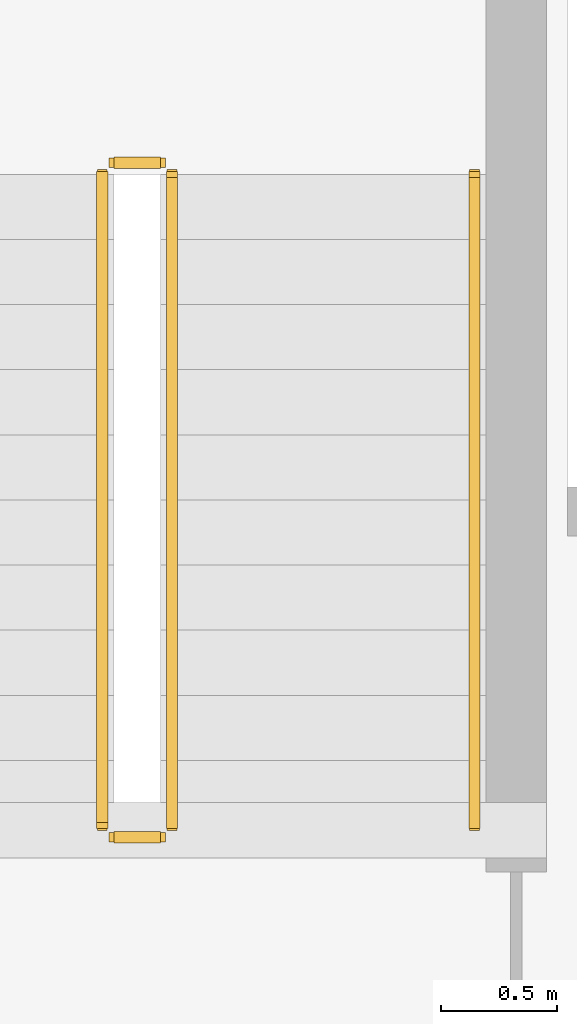
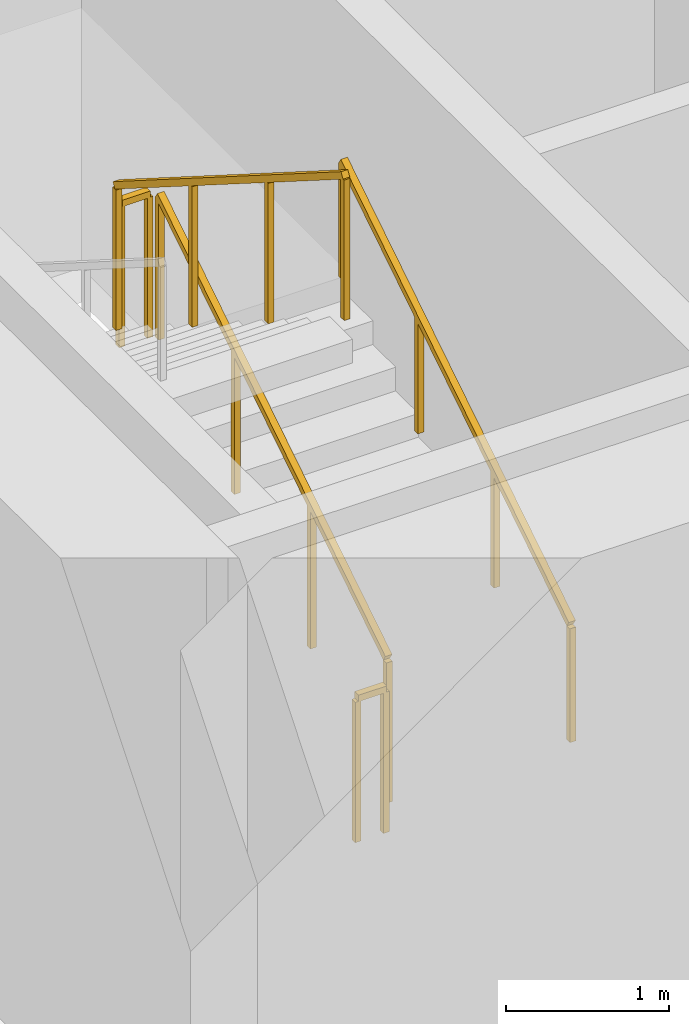
# One storey, part 24 of 26: 5 railings.
"""IFC4 building model written with IfcOpenShell, lengths in metres."""

from ifc_helpers import new_model, si_unit, direction, frame, origin, origin_2d, place, context, subcontext, project, spatial, rectangle, extrude, material, type_object, element, save


model = new_model("IFC4")

# Units and contexts
model_context = context("Model", 3, precision=1e-05, world=origin(), true_north=direction((0.0, 1.0)))
body_context = subcontext(model_context, "Body", "Model", "MODEL_VIEW")
ifc_project = project(units=[si_unit("LENGTHUNIT", "METRE"), si_unit("AREAUNIT", "SQUARE_METRE"), si_unit("VOLUMEUNIT", "CUBIC_METRE"), si_unit("PLANEANGLEUNIT", "RADIAN"), si_unit("MASSUNIT", "GRAM", prefix="KILO")], contexts=[model_context])

# Site, building, storey
site_placement = place(None, origin())
site = spatial("IfcSite", under=ifc_project, at=site_placement, CompositionType="ELEMENT")
building_placement = place(site_placement, origin())
building = spatial("IfcBuilding", under=site, at=building_placement, Name="Kiyonajd Concourse Tower", CompositionType="ELEMENT")
storey_placement = place(building_placement, frame((0.0, 0.0, 72.89990234375)))
storey = spatial("IfcBuildingStorey", under=building, at=storey_placement, Name="L19", CompositionType="ELEMENT", Elevation=72.89990234375)

# Railings
ifc_material_1 = material(Name="Steel ASTM A500 Grade C", Category="steel")
railing_type_1 = type_object("IfcRailingType", Name="RL-GRD-STR", PredefinedType="GUARDRAIL", material=ifc_material_1)
railing_1_placement = place(storey_placement, frame((35.5, 30.550048828125, 0.177490234375)))
element("IfcRailing", 1, at=railing_1_placement, inside=storey, type_object=railing_type_1, Name="L19 ST1 stair guard 1", PredefinedType="GUARDRAIL", context=body_context, shape_type="SweptSolid", body=[
    extrude(rectangle(XDim=0.048095703125, YDim=0.048095703125, at=origin_2d()), frame((0.0, 0.0, 1.076171875), z_axis=(0.0, 0.844908973607, 0.534910110503), x_axis=(-1.0, 0.0, 0.0)), (0.0, 0.0, 1.0), 3.31396484375),
    extrude(rectangle(XDim=0.0419921875, YDim=0.0419921875, at=origin_2d()), origin(), (0.0, 0.0, 1.0), 1.052001953125),
    extrude(rectangle(XDim=0.0419921875, YDim=0.0419921875, at=origin_2d()), frame((0.0, 0.933349609375, 0.5908203125)), (0.0, 0.0, 1.0), 1.052001953125),
    extrude(rectangle(XDim=0.0419921875, YDim=0.0419921875, at=origin_2d()), frame((0.0, 1.86669921875, 1.181884765625)), (0.0, 0.0, 1.0), 1.052001953125),
    extrude(rectangle(XDim=0.0419921875, YDim=0.0419921875, at=origin_2d()), frame((0.0, 2.800048828125, 1.772705078125)), (0.0, 0.0, 1.0), 1.052001953125),
])
railing_2_placement = place(storey_placement, frame((35.449951171875, 33.39990234375, 1.9501953125)))
element("IfcRailing", 2, at=railing_2_placement, inside=storey, type_object=railing_type_1, Name="L19 ST1 stair guard 2", PredefinedType="GUARDRAIL", context=body_context, shape_type="SweptSolid", body=[
    extrude(rectangle(XDim=0.048095703125, YDim=0.048095703125, at=origin_2d()), frame((0.0, 0.0, 1.076171875), z_axis=(-1.0, 0.0, 0.0), x_axis=(0.0, -1.0, 0.0)), (0.0, 0.0, 1.0), 0.199951171875),
    extrude(rectangle(XDim=0.0419921875, YDim=0.0419921875, at=origin_2d()), origin(), (0.0, 0.0, 1.0), 1.052001953125),
    extrude(rectangle(XDim=0.0419921875, YDim=0.0419921875, at=origin_2d()), frame((-0.199951171875, 0.0, 0.0)), (0.0, 0.0, 1.0), 1.052001953125),
])
railing_3_placement = place(storey_placement, frame((35.199951171875, 33.35009765625, 2.12744140625)))
element("IfcRailing", 3, at=railing_3_placement, inside=storey, type_object=railing_type_1, Name="L19 ST1 stair guard 3", PredefinedType="GUARDRAIL", context=body_context, shape_type="SweptSolid", body=[
    extrude(rectangle(XDim=0.048095703125, YDim=0.048095703125, at=origin_2d()), frame((0.0, 0.0, 1.076171875), z_axis=(0.0, -0.844908973607, 0.534910110503), x_axis=(1.0, 0.0, 0.0)), (0.0, 0.0, 1.0), 3.31396484375),
    extrude(rectangle(XDim=0.0419921875, YDim=0.0419921875, at=origin_2d()), origin(), (0.0, 0.0, 1.0), 1.052001953125),
    extrude(rectangle(XDim=0.0419921875, YDim=0.0419921875, at=origin_2d()), frame((0.0, -0.933349609375, 0.5908203125)), (0.0, 0.0, 1.0), 1.052001953125),
    extrude(rectangle(XDim=0.0419921875, YDim=0.0419921875, at=origin_2d()), frame((0.0, -1.86669921875, 1.181884765625)), (0.0, 0.0, 1.0), 1.052001953125),
    extrude(rectangle(XDim=0.0419921875, YDim=0.0419921875, at=origin_2d()), frame((0.0, -2.800048828125, 1.772705078125)), (0.0, 0.0, 1.0), 1.052001953125),
])
railing_4_placement = place(storey_placement, frame((35.449951171875, 30.5, 0.0)))
element("IfcRailing", 4, at=railing_4_placement, inside=storey, type_object=railing_type_1, Name="L19 ST1 stair guard 4", PredefinedType="GUARDRAIL", context=body_context, shape_type="SweptSolid", body=[
    extrude(rectangle(XDim=0.048095703125, YDim=0.048095703125, at=origin_2d()), frame((0.0, 0.0, 1.076171875), z_axis=(-1.0, 0.0, 0.0), x_axis=(0.0, -1.0, 0.0)), (0.0, 0.0, 1.0), 0.199951171875),
    extrude(rectangle(XDim=0.0419921875, YDim=0.0419921875, at=origin_2d()), origin(), (0.0, 0.0, 1.0), 1.052001953125),
    extrude(rectangle(XDim=0.0419921875, YDim=0.0419921875, at=origin_2d()), frame((-0.199951171875, 0.0, 0.0)), (0.0, 0.0, 1.0), 1.052001953125),
])
ifc_material_2 = material(Name="Brushed Stainless Steel Cab Assembly", Category="steel")
railing_type_2 = type_object("IfcRailingType", Name="RL-HND-900", PredefinedType="HANDRAIL", material=ifc_material_2)
railing_5_placement = place(storey_placement, frame((36.800048828125, 30.550048828125, 0.177490234375)))
element("IfcRailing", 5, at=railing_5_placement, inside=storey, type_object=railing_type_2, Name="L19 ST1 stair handrail 1", PredefinedType="HANDRAIL", context=body_context, shape_type="SweptSolid", body=[
    extrude(rectangle(XDim=0.048095703125, YDim=0.048095703125, at=origin_2d()), frame((0.0, 0.0, 0.8759765625), z_axis=(0.0, 0.844908973607, 0.534910110503), x_axis=(-1.0, 0.0, 0.0)), (0.0, 0.0, 1.0), 3.31396484375),
    extrude(rectangle(XDim=0.0419921875, YDim=0.0419921875, at=origin_2d()), origin(), (0.0, 0.0, 1.0), 0.851806640625),
    extrude(rectangle(XDim=0.0419921875, YDim=0.0419921875, at=origin_2d()), frame((0.0, 0.933349609375, 0.5908203125)), (0.0, 0.0, 1.0), 0.851806640625),
    extrude(rectangle(XDim=0.0419921875, YDim=0.0419921875, at=origin_2d()), frame((0.0, 1.86669921875, 1.181884765625)), (0.0, 0.0, 1.0), 0.851806640625),
    extrude(rectangle(XDim=0.0419921875, YDim=0.0419921875, at=origin_2d()), frame((0.0, 2.800048828125, 1.772705078125)), (0.0, 0.0, 1.0), 0.851806640625),
])

save(model, "model.ifc")
